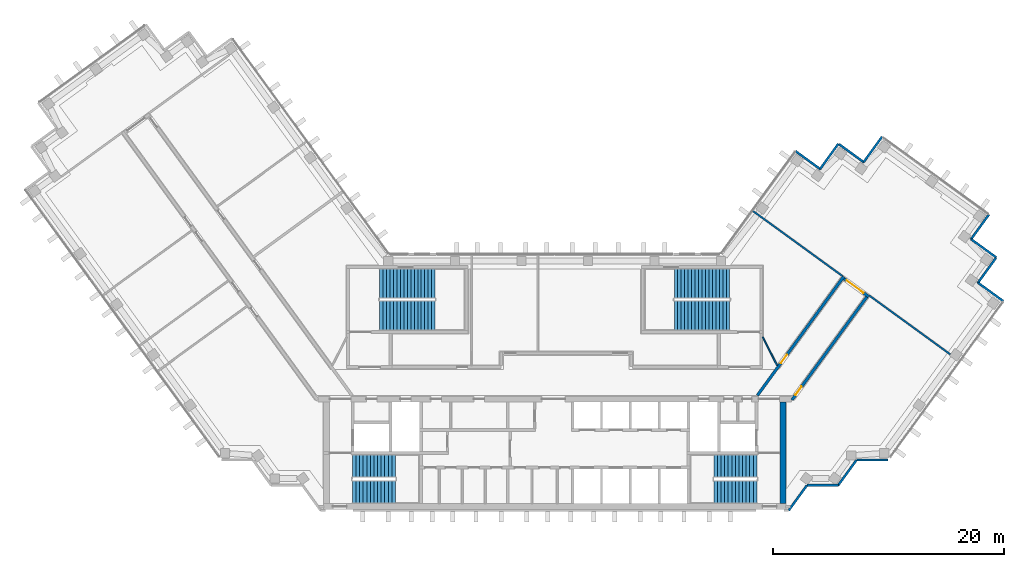
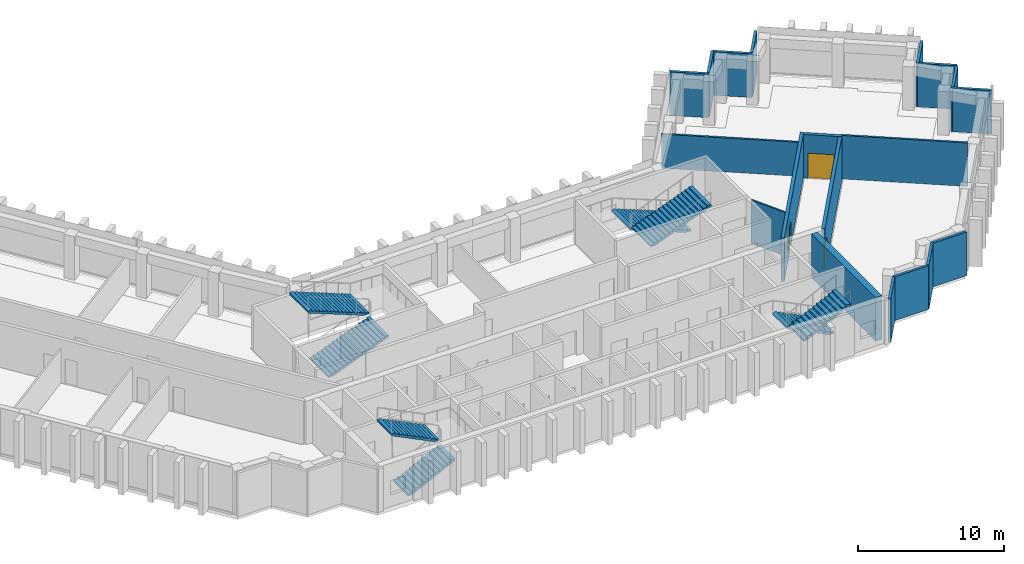
# One storey, part 7 of 9: 19 walls, 8 stair flights, 3 doors, 3 openings, 4 elements without a shape of their own.
"""IFC4 building model written with IfcOpenShell, lengths in metres."""

from ifc_helpers import new_model, si_unit, direction, frame, frame_2d, origin, place, context, subcontext, project, spatial, polyline, rectangle, outline, extrude, material, layer, layer_set, type_object, element, fill, aggregate, save


model = new_model("IFC4")

# Units and contexts
model_context = context("Model", 3, precision=1e-05, world=origin(), true_north=direction((0.0, 1.0)))
body_context = subcontext(model_context, "Body", "Model", "MODEL_VIEW")
ifc_project = project(units=[si_unit("LENGTHUNIT", "METRE"), si_unit("AREAUNIT", "SQUARE_METRE"), si_unit("VOLUMEUNIT", "CUBIC_METRE"), si_unit("PLANEANGLEUNIT", "RADIAN"), si_unit("MASSUNIT", "GRAM", prefix="KILO")], contexts=[model_context])

# Site, building, storey
site_placement = place(None, origin())
site = spatial("IfcSite", under=ifc_project, at=site_placement, CompositionType="ELEMENT")
building_placement = place(site_placement, origin())
building = spatial("IfcBuilding", under=site, at=building_placement, Name="Quipu Civic Tower", CompositionType="ELEMENT")
storey_placement = place(building_placement, frame((0.0, 0.0, 194.0)))
storey = spatial("IfcBuildingStorey", under=building, at=storey_placement, Name="L45", CompositionType="ELEMENT", Elevation=194.0)

# Walls
ifc_material_1 = material(Name="Double gypsum plasterboard with mineral wool")
ifc_layer_1 = layer(ifc_material_1, 0.14990234375)
ifc_layer_set_1 = layer_set([ifc_layer_1], Name="Double gypsum plasterboard with mineral wool")
wall_type_1 = type_object("IfcWallType", Name="Acoustic partition 150 plasterboard", PredefinedType="PARTITIONING", material=ifc_layer_set_1)
wall_1_placement = place(storey_placement, frame((24.89794921875, 9.20947265625, 0.0), z_axis=(0.0, 0.0, 1.0), x_axis=(-0.809013490065, 0.587790075531, 0.0)))
element("IfcWall", 1, at=wall_1_placement, inside=storey, type_object=wall_type_1, Name="Partition P01", PredefinedType="PARTITIONING", context=body_context, shape_type="SweptSolid", body=[
    extrude(rectangle(XDim=9.54931640625, YDim=0.14990234375, at=frame_2d((4.774658203125, 0.0))), origin(), (0.0, 0.0, 1.0), 2.85009765625),
])
wall_2_placement = place(storey_placement, frame((34.23876953125, 2.42333984375, 0.0), z_axis=(0.0, 0.0, 1.0), x_axis=(-0.809024209643, 0.5877753212, 0.0)))
element("IfcWall", 2, at=wall_2_placement, inside=storey, type_object=wall_type_1, Name="Partition P10", PredefinedType="PARTITIONING", context=body_context, shape_type="SweptSolid", body=[
    extrude(rectangle(XDim=8.64453125, YDim=0.14990234375, at=frame_2d((4.322265625, 0.0))), origin(), (0.0, 0.0, 1.0), 3.64990234375),
])
ifc_material_2 = material(Name="Concrete C70/85", Category="concrete")
ifc_layer_2 = layer(ifc_material_2, 0.5)
ifc_layer_set_2 = layer_set([ifc_layer_2], Name="Concrete C70/85")
wall_type_2 = type_object("IfcWallType", Name="Core wall 500", PredefinedType="SHEAR", material=ifc_layer_set_2)
wall_3_placement = place(storey_placement, frame((19.75, -10.5, 0.0), z_axis=(0.0, 0.0, 1.0), x_axis=(0.0, 1.0, 0.0)))
element("IfcWall", 3, at=wall_3_placement, inside=storey, type_object=wall_type_2, Name="Core wall", PredefinedType="SHEAR", context=body_context, shape_type="SweptSolid", body=[
    extrude(rectangle(XDim=8.800048828125, YDim=0.5, at=frame_2d((4.39990234375, 0.0))), origin(), (0.0, 0.0, 1.0), 3.64990234375),
])

# Wall, opening, door
ifc_material_3 = material(Name="Concrete C50/60", Category="concrete")
ifc_layer_3 = layer(ifc_material_3, 0.25)
ifc_layer_set_3 = layer_set([ifc_layer_3], Name="Concrete C50/60")
wall_type_3 = type_object("IfcWallType", Name="Corridor wall 250 concrete", PredefinedType="SOLIDWALL", material=ifc_layer_set_3)
wall_4_placement = place(storey_placement, frame((17.544921875, -1.124755859375, 0.0), z_axis=(0.0, 0.0, 1.0), x_axis=(0.587796810203, 0.809008596935, 0.0)))
wall_4 = element("IfcWall", 4, at=wall_4_placement, inside=storey, type_object=wall_type_3, Name="Corridor wall C01", PredefinedType="SOLIDWALL", context=body_context, shape_type="SweptSolid", body=[
    extrude(rectangle(XDim=12.703125, YDim=0.25, at=frame_2d((6.3515625, 0.0))), origin(), (0.0, 0.0, 1.0), 3.64990234375),
])
opening_1_placement = place(wall_4_placement, frame((3.44140625, 0.0, 0.0)))
opening_1 = element("IfcOpeningElement", 5, at=opening_1_placement, cuts=wall_4, Name="Opening D001", PredefinedType="OPENING", context=body_context, shape_type="SweptSolid", body=[
    extrude(rectangle(XDim=0.89990234375, YDim=2.10009765625, at=frame_2d((0.449951171875, 1.050048828125))), frame((0.0, 0.135009765625, 0.0), z_axis=(0.0, -1.0, 0.0), x_axis=(1.0, 0.0, 0.0)), (0.0, 0.0, 1.0), 0.27001953125),
])
ifc_material_4 = material(Name="Fire rated timber door set with metal frame", Category="wood")
door_type_1 = type_object("IfcDoorType", Name="Single door 900 x 2100 FD60", OperationType="NOTDEFINED", PredefinedType="DOOR", material=ifc_material_4)
door_1_placement = place(opening_1_placement, origin())
door_1 = element("IfcDoor", 6, at=door_1_placement, inside=storey, type_object=door_type_1, Name="Door D001", OperationType="SINGLE_SWING_LEFT", OverallHeight=2.10009765625, OverallWidth=0.89990234375, PredefinedType="DOOR", context=body_context, shape_type="SweptSolid", body=[
    extrude(rectangle(XDim=0.89990234375, YDim=2.10009765625, at=frame_2d((0.449951171875, 1.050048828125))), frame((0.0, 0.02490234375, 0.0), z_axis=(0.0, -1.0, 0.0), x_axis=(1.0, 0.0, 0.0)), (0.0, 0.0, 1.0), 0.050048828125),
])
fill(opening_1, door_1)

wall_5_placement = place(storey_placement, frame((25.039306640625, 8.9775390625, 0.0), z_axis=(0.0, 0.0, 1.0), x_axis=(0.809006914995, -0.587799125119, 0.0)))
wall_5 = element("IfcWall", 7, at=wall_5_placement, inside=storey, type_object=wall_type_3, Name="Corridor wall C02", PredefinedType="SOLIDWALL", context=body_context, shape_type="SweptSolid", body=[
    extrude(rectangle(XDim=2.64990234375, YDim=0.25, at=frame_2d((1.324951171875, 0.0))), origin(), (0.0, 0.0, 1.0), 3.64990234375),
])
opening_2_placement = place(wall_5_placement, frame((0.300537109375, 0.0, 0.0)))
opening_2 = element("IfcOpeningElement", 8, at=opening_2_placement, cuts=wall_5, Name="Opening D003", PredefinedType="OPENING", context=body_context, shape_type="SweptSolid", body=[
    extrude(rectangle(XDim=1.800048828125, YDim=2.10009765625, at=frame_2d((0.89990234375, 1.050048828125))), frame((0.0, 0.135009765625, 0.0), z_axis=(0.0, -1.0, 0.0), x_axis=(1.0, 0.0, 0.0)), (0.0, 0.0, 1.0), 0.27001953125),
])
ifc_material_5 = material(Name="Fire rated timber door set with metal frame", Category="wood")
door_type_2 = type_object("IfcDoorType", Name="Double door 1800 x 2100 FD60", OperationType="DOUBLE_DOOR_SINGLE_SWING", PredefinedType="DOOR", material=ifc_material_5)
door_2_placement = place(opening_2_placement, origin())
door_2 = element("IfcDoor", 9, at=door_2_placement, inside=storey, type_object=door_type_2, Name="Door D003", OperationType="DOUBLE_DOOR_SINGLE_SWING", OverallHeight=2.10009765625, OverallWidth=1.800048828125, PredefinedType="DOOR", context=body_context, shape_type="SweptSolid", body=[
    extrude(rectangle(XDim=1.800048828125, YDim=2.10009765625, at=frame_2d((0.89990234375, 1.050048828125))), frame((0.0, 0.02490234375, 0.0), z_axis=(0.0, -1.0, 0.0), x_axis=(1.0, 0.0, 0.0)), (0.0, 0.0, 1.0), 0.050048828125),
])
fill(opening_2, door_2)

wall_6_placement = place(storey_placement, frame((27.008544921875, 7.392333984375, 0.0), z_axis=(0.0, 0.0, 1.0), x_axis=(-0.587776457057, -0.809023384414, 0.0)))
wall_6 = element("IfcWall", 10, at=wall_6_placement, inside=storey, type_object=wall_type_3, Name="Corridor wall C03", PredefinedType="SOLIDWALL", context=body_context, shape_type="SweptSolid", body=[
    extrude(rectangle(XDim=11.0205078125, YDim=0.25, at=frame_2d((5.51025390625, 0.0))), origin(), (0.0, 0.0, 1.0), 3.64990234375),
])
opening_3_placement = place(wall_6_placement, frame((9.587646484375, 0.0, 0.0)))
opening_3 = element("IfcOpeningElement", 11, at=opening_3_placement, cuts=wall_6, Name="Opening D002", PredefinedType="OPENING", context=body_context, shape_type="SweptSolid", body=[
    extrude(rectangle(XDim=0.89990234375, YDim=2.10009765625, at=frame_2d((0.449951171875, 1.050048828125))), frame((0.0, 0.135009765625, 0.0), z_axis=(0.0, -1.0, 0.0), x_axis=(1.0, 0.0, 0.0)), (0.0, 0.0, 1.0), 0.27001953125),
])
door_3_placement = place(opening_3_placement, origin())
door_3 = element("IfcDoor", 12, at=door_3_placement, inside=storey, type_object=door_type_1, Name="Door D002", OperationType="SINGLE_SWING_RIGHT", OverallHeight=2.10009765625, OverallWidth=0.89990234375, PredefinedType="DOOR", context=body_context, shape_type="SweptSolid", body=[
    extrude(rectangle(XDim=0.89990234375, YDim=2.10009765625, at=frame_2d((0.449951171875, 1.050048828125))), frame((0.0, 0.02490234375, 0.0), z_axis=(0.0, -1.0, 0.0), x_axis=(1.0, 0.0, 0.0)), (0.0, 0.0, 1.0), 0.050048828125),
])
fill(opening_3, door_3)

# Walls
ifc_material_6 = material(Name="Gypsum plasterboard on light gauge framing")
ifc_layer_4 = layer(ifc_material_6, 0.1201171875)
ifc_layer_set_4 = layer_set([ifc_layer_4], Name="Gypsum plasterboard on light gauge framing")
wall_type_4 = type_object("IfcWallType", Name="Partition 120 plasterboard", PredefinedType="PARTITIONING", material=ifc_layer_set_4)
wall_7_placement = place(storey_placement, frame((18.0, 3.925048828125, 0.0), z_axis=(0.0, 0.0, 1.0), x_axis=(0.453950796792, -0.891026752736, 0.0)))
element("IfcWall", 13, at=wall_7_placement, inside=storey, type_object=wall_type_4, Name="Partition P12", PredefinedType="PARTITIONING", context=body_context, shape_type="SweptSolid", body=[
    extrude(rectangle(XDim=2.77783203125, YDim=0.1201171875, at=frame_2d((1.388916015625, 0.0))), origin(), (0.0, 0.0, 1.0), 3.64990234375),
])
ifc_material_7 = material(Name="Precast concrete C40/50", Category="concrete")
wall_type_5 = type_object("IfcWallType", Name="Precast cladding wall", PredefinedType="SOLIDWALL", material=ifc_material_7)
for number, where, z_axis, x_axis, name in (
    (14, (38.82861328125, 7.031005859375, 0.0), (0.0, 0.0, 1.0), (-0.808990163075, 0.587822180636, 0.0), "Precast cladding wall L45 2"),
    (15, (36.60205078125, 8.580322265625, 0.0), (0.0, 0.0, 1.0), (0.587822180636, 0.808990163075, 0.0), "Precast cladding wall L45 3"),
    (16, (38.231201171875, 10.80224609375, 0.0), (0.0, 0.0, 1.0), (-0.808958916286, 0.58786518162, 0.0), "Precast cladding wall L45 4"),
    (17, (36.0048828125, 12.3515625, 0.0), (0.0, 0.0, 1.0), (0.587762999008, 0.809033161865, 0.0), "Precast cladding wall L45 5"),
    (18, (28.333984375, 21.26220703125, 0.0), (0.0, 0.0, 1.0), (-0.587762999008, -0.809033161865, 0.0), "Precast cladding wall L45 7"),
):
    element("IfcWall", number, at=place(storey_placement, frame(where, z_axis=z_axis, x_axis=x_axis)), inside=storey, type_object=wall_type_5, Name=name, PredefinedType="SOLIDWALL", context=body_context, shape_type="SweptSolid", body=[
        extrude(rectangle(XDim=2.699951171875, YDim=0.199951171875, at=frame_2d((1.35009765625, 0.0))), origin(), (0.0, 0.0, 1.0), 3.64990234375),
    ])
wall_8_placement = place(storey_placement, frame((26.78466796875, 19.03564453125, 0.0), z_axis=(0.0, 0.0, 1.0), x_axis=(-0.809064397168, 0.587720002413, 0.0)))
element("IfcWall", 19, at=wall_8_placement, inside=storey, type_object=wall_type_5, Name="Precast cladding wall L45 8", PredefinedType="SOLIDWALL", context=body_context, shape_type="SweptSolid", body=[
    extrude(rectangle(XDim=2.7001953125, YDim=0.199951171875, at=frame_2d((1.35009765625, 0.0))), origin(), (0.0, 0.0, 1.0), 3.64990234375),
])
for number, where, z_axis, x_axis, name in (
    (20, (24.562744140625, 20.664794921875, 0.0), (0.0, 0.0, 1.0), (-0.587822180636, -0.808990163075, 0.0), "Precast cladding wall L45 9"),
    (21, (23.01318359375, 18.438232421875, 0.0), (0.0, 0.0, 1.0), (-0.808990163075, 0.587822180636, 0.0), "Precast cladding wall L45 10"),
):
    element("IfcWall", number, at=place(storey_placement, frame(where, z_axis=z_axis, x_axis=x_axis)), inside=storey, type_object=wall_type_5, Name=name, PredefinedType="SOLIDWALL", context=body_context, shape_type="SweptSolid", body=[
        extrude(rectangle(XDim=2.699951171875, YDim=0.199951171875, at=frame_2d((1.35009765625, 0.0))), origin(), (0.0, 0.0, 1.0), 3.64990234375),
    ])
wall_9_placement = place(storey_placement, frame((20.253173828125, -11.083251953125, 0.0), z_axis=(0.0, 0.0, 1.0), x_axis=(0.587766567315, 0.809030569476, 0.0)))
element("IfcWall", 22, at=wall_9_placement, inside=storey, type_object=wall_type_5, Name="Precast cladding wall L45 35", PredefinedType="SOLIDWALL", context=body_context, shape_type="SweptSolid", body=[
    extrude(rectangle(XDim=2.687744140625, YDim=0.199951171875, at=frame_2d((1.34375, 0.0))), origin(), (0.0, 0.0, 1.0), 3.64990234375),
])
wall_10_placement = place(storey_placement, frame((21.8427734375, -8.90380859375, 0.0), z_axis=(0.0, 0.0, 1.0), x_axis=(1.0, 0.0, 0.0)))
element("IfcWall", 23, at=wall_10_placement, inside=storey, type_object=wall_type_5, Name="Precast cladding wall L45 36", PredefinedType="SOLIDWALL", context=body_context, shape_type="SweptSolid", body=[
    extrude(rectangle(XDim=2.699951171875, YDim=0.199951171875, at=frame_2d((1.35009765625, 0.0))), origin(), (0.0, 0.0, 1.0), 3.64990234375),
])
wall_11_placement = place(storey_placement, frame((24.533203125, -8.90869140625, 0.0), z_axis=(0.0, 0.0, 1.0), x_axis=(0.587720002413, 0.809064397168, 0.0)))
element("IfcWall", 24, at=wall_11_placement, inside=storey, type_object=wall_type_5, Name="Precast cladding wall L45 37", PredefinedType="SOLIDWALL", context=body_context, shape_type="SweptSolid", body=[
    extrude(rectangle(XDim=2.7001953125, YDim=0.199951171875, at=frame_2d((1.35009765625, 0.0))), origin(), (0.0, 0.0, 1.0), 3.64990234375),
])
wall_12_placement = place(storey_placement, frame((26.1298828125, -6.71923828125, 0.0), z_axis=(0.0, 0.0, 1.0), x_axis=(1.0, 0.0, 0.0)))
element("IfcWall", 25, at=wall_12_placement, inside=storey, type_object=wall_type_5, Name="Precast cladding wall L45 38", PredefinedType="SOLIDWALL", context=body_context, shape_type="SweptSolid", body=[
    extrude(rectangle(XDim=2.699951171875, YDim=0.199951171875, at=frame_2d((1.35009765625, 0.0))), origin(), (0.0, 0.0, 1.0), 3.64990234375),
])

# Stair, stair flights
ifc_material_8 = material(Name="Concrete C40/50", Category="concrete")
stair_type_1 = type_object("IfcStairType", Name="Half turn stair 2000", PredefinedType="HALF_TURN_STAIR", material=ifc_material_8)
stair_1_placement = place(storey_placement, origin())
stair_1 = element("IfcStair", 26, at=stair_1_placement, inside=storey, type_object=stair_type_1, Name="Exit stair 1", PredefinedType="HALF_TURN_STAIR")
ifc_material_9 = material(Name="Concrete C40/50", Category="concrete")
stair_flight_type_1 = type_object("IfcStairFlightType", Name="Stair flight 2000", PredefinedType="STRAIGHT", material=ifc_material_9)
stair_flight_1_placement = place(storey_placement, frame((-17.5, -9.5, 0.0), z_axis=(0.0, 0.0, 1.0), x_axis=(1.0, 0.0, 0.0)))
stair_flight_1 = element("IfcStairFlight", 27, at=stair_flight_1_placement, type_object=stair_flight_type_1, Name="ST-1 flight 1", NumberOfRisers=13, NumberOfTreads=12, PredefinedType="STRAIGHT", RiserHeight=0.153846154, TreadLength=0.31, context=body_context, shape_type="SweptSolid", body=[
    extrude(outline(polyline([(0.0, 0.0), (0.0, 0.15380859375), (0.31005859375, 0.15380859375), (0.31005859375, 0.3076171875), (0.6201171875, 0.3076171875), (0.6201171875, 0.46142578125), (0.929931640625, 0.46142578125), (0.929931640625, 0.615478515625), (1.239990234375, 0.615478515625), (1.239990234375, 0.769287109375), (1.550048828125, 0.769287109375), (1.550048828125, 0.923095703125), (1.860107421875, 0.923095703125), (1.860107421875, 1.076904296875), (2.169921875, 1.076904296875), (2.169921875, 1.230712890625), (2.47998046875, 1.230712890625), (2.47998046875, 1.384521484375), (2.7900390625, 1.384521484375), (2.7900390625, 1.53857421875), (3.10009765625, 1.53857421875), (3.10009765625, 1.6923828125), (3.409912109375, 1.6923828125), (3.409912109375, 1.84619140625), (3.719970703125, 1.84619140625), (3.719970703125, 2.0), (3.719970703125, 1.6787109375), (0.337158203125, 0.0), (0.0, 0.0)])), frame((0.0, 1.0, 0.0), z_axis=(0.0, -1.0, 0.0), x_axis=(1.0, 0.0, 0.0)), (0.0, 0.0, 1.0), 2.0),
])
stair_flight_2_placement = place(storey_placement, frame((-13.780029296875, -7.25, 2.0), z_axis=(0.0, 0.0, 1.0), x_axis=(-1.0, 0.0, 0.0)))
stair_flight_2 = element("IfcStairFlight", 28, at=stair_flight_2_placement, type_object=stair_flight_type_1, Name="ST-1 flight 2", NumberOfRisers=13, NumberOfTreads=12, PredefinedType="STRAIGHT", RiserHeight=0.153846154, TreadLength=0.31, context=body_context, shape_type="SweptSolid", body=[
    extrude(outline(polyline([(0.0, 0.0), (0.0, 0.15380859375), (0.31005859375, 0.15380859375), (0.31005859375, 0.3076171875), (0.6201171875, 0.3076171875), (0.6201171875, 0.46142578125), (0.929931640625, 0.46142578125), (0.929931640625, 0.615478515625), (1.239990234375, 0.615478515625), (1.239990234375, 0.769287109375), (1.550048828125, 0.769287109375), (1.550048828125, 0.923095703125), (1.860107421875, 0.923095703125), (1.860107421875, 1.076904296875), (2.169921875, 1.076904296875), (2.169921875, 1.230712890625), (2.47998046875, 1.230712890625), (2.47998046875, 1.384521484375), (2.7900390625, 1.384521484375), (2.7900390625, 1.53857421875), (3.10009765625, 1.53857421875), (3.10009765625, 1.6923828125), (3.409912109375, 1.6923828125), (3.409912109375, 1.84619140625), (3.719970703125, 1.84619140625), (3.719970703125, 2.0), (3.719970703125, 1.6787109375), (0.337158203125, 0.0), (0.0, 0.0)])), frame((0.0, 1.0, 0.0), z_axis=(0.0, -1.0, 0.0), x_axis=(1.0, 0.0, 0.0)), (0.0, 0.0, 1.0), 2.0),
])
aggregate(stair_1, [stair_flight_1, stair_flight_2])

stair_2_placement = place(storey_placement, origin())
stair_2 = element("IfcStair", 29, at=stair_2_placement, inside=storey, type_object=stair_type_1, Name="Exit stair 2", PredefinedType="HALF_TURN_STAIR")
stair_flight_3_placement = place(storey_placement, frame((17.5, -7.25, 0.0), z_axis=(0.0, 0.0, 1.0), x_axis=(-1.0, 0.0, 0.0)))
stair_flight_3 = element("IfcStairFlight", 30, at=stair_flight_3_placement, type_object=stair_flight_type_1, Name="ST-2 flight 1", NumberOfRisers=13, NumberOfTreads=12, PredefinedType="STRAIGHT", RiserHeight=0.153846154, TreadLength=0.31, context=body_context, shape_type="SweptSolid", body=[
    extrude(outline(polyline([(0.0, 0.0), (0.0, 0.15380859375), (0.31005859375, 0.15380859375), (0.31005859375, 0.3076171875), (0.6201171875, 0.3076171875), (0.6201171875, 0.46142578125), (0.929931640625, 0.46142578125), (0.929931640625, 0.615478515625), (1.239990234375, 0.615478515625), (1.239990234375, 0.769287109375), (1.550048828125, 0.769287109375), (1.550048828125, 0.923095703125), (1.860107421875, 0.923095703125), (1.860107421875, 1.076904296875), (2.169921875, 1.076904296875), (2.169921875, 1.230712890625), (2.47998046875, 1.230712890625), (2.47998046875, 1.384521484375), (2.7900390625, 1.384521484375), (2.7900390625, 1.53857421875), (3.10009765625, 1.53857421875), (3.10009765625, 1.6923828125), (3.409912109375, 1.6923828125), (3.409912109375, 1.84619140625), (3.719970703125, 1.84619140625), (3.719970703125, 2.0), (3.719970703125, 1.6787109375), (0.337158203125, 0.0), (0.0, 0.0)])), frame((0.0, 1.0, 0.0), z_axis=(0.0, -1.0, 0.0), x_axis=(1.0, 0.0, 0.0)), (0.0, 0.0, 1.0), 2.0),
])
stair_flight_4_placement = place(storey_placement, frame((13.780029296875, -9.5, 2.0), z_axis=(0.0, 0.0, 1.0), x_axis=(1.0, 0.0, 0.0)))
stair_flight_4 = element("IfcStairFlight", 31, at=stair_flight_4_placement, type_object=stair_flight_type_1, Name="ST-2 flight 2", NumberOfRisers=13, NumberOfTreads=12, PredefinedType="STRAIGHT", RiserHeight=0.153846154, TreadLength=0.31, context=body_context, shape_type="SweptSolid", body=[
    extrude(outline(polyline([(0.0, 0.0), (0.0, 0.15380859375), (0.31005859375, 0.15380859375), (0.31005859375, 0.3076171875), (0.6201171875, 0.3076171875), (0.6201171875, 0.46142578125), (0.929931640625, 0.46142578125), (0.929931640625, 0.615478515625), (1.239990234375, 0.615478515625), (1.239990234375, 0.769287109375), (1.550048828125, 0.769287109375), (1.550048828125, 0.923095703125), (1.860107421875, 0.923095703125), (1.860107421875, 1.076904296875), (2.169921875, 1.076904296875), (2.169921875, 1.230712890625), (2.47998046875, 1.230712890625), (2.47998046875, 1.384521484375), (2.7900390625, 1.384521484375), (2.7900390625, 1.53857421875), (3.10009765625, 1.53857421875), (3.10009765625, 1.6923828125), (3.409912109375, 1.6923828125), (3.409912109375, 1.84619140625), (3.719970703125, 1.84619140625), (3.719970703125, 2.0), (3.719970703125, 1.6787109375), (0.337158203125, 0.0), (0.0, 0.0)])), frame((0.0, 1.0, 0.0), z_axis=(0.0, -1.0, 0.0), x_axis=(1.0, 0.0, 0.0)), (0.0, 0.0, 1.0), 2.0),
])
aggregate(stair_2, [stair_flight_3, stair_flight_4])

ifc_material_10 = material(Name="Concrete C40/50", Category="concrete")
stair_type_2 = type_object("IfcStairType", Name="Half turn stair 2600", PredefinedType="HALF_TURN_STAIR", material=ifc_material_10)
stair_3_placement = place(storey_placement, origin())
stair_3 = element("IfcStair", 32, at=stair_3_placement, inside=storey, type_object=stair_type_2, Name="Exit stair 3", PredefinedType="HALF_TURN_STAIR")
ifc_material_11 = material(Name="Concrete C40/50", Category="concrete")
stair_flight_type_2 = type_object("IfcStairFlightType", Name="Stair flight 2600", PredefinedType="STRAIGHT", material=ifc_material_11)
stair_flight_5_placement = place(storey_placement, frame((-15.14990234375, 5.800048828125, 0.0), z_axis=(0.0, 0.0, 1.0), x_axis=(1.0, 0.0, 0.0)))
stair_flight_5 = element("IfcStairFlight", 33, at=stair_flight_5_placement, type_object=stair_flight_type_2, Name="ST-3 flight 1", NumberOfRisers=17, NumberOfTreads=16, PredefinedType="STRAIGHT", RiserHeight=0.117647059, TreadLength=0.3, context=body_context, shape_type="SweptSolid", body=[
    extrude(outline(polyline([(0.0, 0.0), (0.0, 0.11767578125), (0.300048828125, 0.11767578125), (0.300048828125, 0.2353515625), (0.60009765625, 0.2353515625), (0.60009765625, 0.35302734375), (0.89990234375, 0.35302734375), (0.89990234375, 0.470703125), (1.199951171875, 0.470703125), (1.199951171875, 0.588134765625), (1.5, 0.588134765625), (1.5, 0.705810546875), (1.800048828125, 0.705810546875), (1.800048828125, 0.823486328125), (2.10009765625, 0.823486328125), (2.10009765625, 0.941162109375), (2.39990234375, 0.941162109375), (2.39990234375, 1.058837890625), (2.699951171875, 1.058837890625), (2.699951171875, 1.176513671875), (3.0, 1.176513671875), (3.0, 1.294189453125), (3.300048828125, 1.294189453125), (3.300048828125, 1.411865234375), (3.60009765625, 1.411865234375), (3.60009765625, 1.529296875), (3.89990234375, 1.529296875), (3.89990234375, 1.64697265625), (4.199951171875, 1.64697265625), (4.199951171875, 1.7646484375), (4.5, 1.7646484375), (4.5, 1.88232421875), (4.800048828125, 1.88232421875), (4.800048828125, 2.0), (4.800048828125, 1.721435546875), (0.41064453125, 0.0), (0.0, 0.0)])), frame((0.0, 1.300048828125, 0.0), z_axis=(0.0, -1.0, 0.0), x_axis=(1.0, 0.0, 0.0)), (0.0, 0.0, 1.0), 2.60009765625),
])
stair_flight_6_placement = place(storey_placement, frame((-10.35009765625, 8.550048828125, 2.0), z_axis=(0.0, 0.0, 1.0), x_axis=(-1.0, 0.0, 0.0)))
stair_flight_6 = element("IfcStairFlight", 34, at=stair_flight_6_placement, type_object=stair_flight_type_2, Name="ST-3 flight 2", NumberOfRisers=17, NumberOfTreads=16, PredefinedType="STRAIGHT", RiserHeight=0.117647059, TreadLength=0.3, context=body_context, shape_type="SweptSolid", body=[
    extrude(outline(polyline([(0.0, 0.0), (0.0, 0.11767578125), (0.300048828125, 0.11767578125), (0.300048828125, 0.2353515625), (0.60009765625, 0.2353515625), (0.60009765625, 0.35302734375), (0.89990234375, 0.35302734375), (0.89990234375, 0.470703125), (1.199951171875, 0.470703125), (1.199951171875, 0.588134765625), (1.5, 0.588134765625), (1.5, 0.705810546875), (1.800048828125, 0.705810546875), (1.800048828125, 0.823486328125), (2.10009765625, 0.823486328125), (2.10009765625, 0.941162109375), (2.39990234375, 0.941162109375), (2.39990234375, 1.058837890625), (2.699951171875, 1.058837890625), (2.699951171875, 1.176513671875), (3.0, 1.176513671875), (3.0, 1.294189453125), (3.300048828125, 1.294189453125), (3.300048828125, 1.411865234375), (3.60009765625, 1.411865234375), (3.60009765625, 1.529296875), (3.89990234375, 1.529296875), (3.89990234375, 1.64697265625), (4.199951171875, 1.64697265625), (4.199951171875, 1.7646484375), (4.5, 1.7646484375), (4.5, 1.88232421875), (4.800048828125, 1.88232421875), (4.800048828125, 2.0), (4.800048828125, 1.721435546875), (0.41064453125, 0.0), (0.0, 0.0)])), frame((0.0, 1.300048828125, 0.0), z_axis=(0.0, -1.0, 0.0), x_axis=(1.0, 0.0, 0.0)), (0.0, 0.0, 1.0), 2.60009765625),
])
aggregate(stair_3, [stair_flight_5, stair_flight_6])

stair_4_placement = place(storey_placement, origin())
stair_4 = element("IfcStair", 35, at=stair_4_placement, inside=storey, type_object=stair_type_2, Name="Exit stair 4", PredefinedType="HALF_TURN_STAIR")
stair_flight_7_placement = place(storey_placement, frame((15.14990234375, 8.550048828125, 0.0), z_axis=(0.0, 0.0, 1.0), x_axis=(-1.0, 0.0, 0.0)))
stair_flight_7 = element("IfcStairFlight", 36, at=stair_flight_7_placement, type_object=stair_flight_type_2, Name="ST-4 flight 1", NumberOfRisers=17, NumberOfTreads=16, PredefinedType="STRAIGHT", RiserHeight=0.117647059, TreadLength=0.3, context=body_context, shape_type="SweptSolid", body=[
    extrude(outline(polyline([(0.0, 0.0), (0.0, 0.11767578125), (0.300048828125, 0.11767578125), (0.300048828125, 0.2353515625), (0.60009765625, 0.2353515625), (0.60009765625, 0.35302734375), (0.89990234375, 0.35302734375), (0.89990234375, 0.470703125), (1.199951171875, 0.470703125), (1.199951171875, 0.588134765625), (1.5, 0.588134765625), (1.5, 0.705810546875), (1.800048828125, 0.705810546875), (1.800048828125, 0.823486328125), (2.10009765625, 0.823486328125), (2.10009765625, 0.941162109375), (2.39990234375, 0.941162109375), (2.39990234375, 1.058837890625), (2.699951171875, 1.058837890625), (2.699951171875, 1.176513671875), (3.0, 1.176513671875), (3.0, 1.294189453125), (3.300048828125, 1.294189453125), (3.300048828125, 1.411865234375), (3.60009765625, 1.411865234375), (3.60009765625, 1.529296875), (3.89990234375, 1.529296875), (3.89990234375, 1.64697265625), (4.199951171875, 1.64697265625), (4.199951171875, 1.7646484375), (4.5, 1.7646484375), (4.5, 1.88232421875), (4.800048828125, 1.88232421875), (4.800048828125, 2.0), (4.800048828125, 1.721435546875), (0.41064453125, 0.0), (0.0, 0.0)])), frame((0.0, 1.300048828125, 0.0), z_axis=(0.0, -1.0, 0.0), x_axis=(1.0, 0.0, 0.0)), (0.0, 0.0, 1.0), 2.60009765625),
])
stair_flight_8_placement = place(storey_placement, frame((10.35009765625, 5.800048828125, 2.0), z_axis=(0.0, 0.0, 1.0), x_axis=(1.0, 0.0, 0.0)))
stair_flight_8 = element("IfcStairFlight", 37, at=stair_flight_8_placement, type_object=stair_flight_type_2, Name="ST-4 flight 2", NumberOfRisers=17, NumberOfTreads=16, PredefinedType="STRAIGHT", RiserHeight=0.117647059, TreadLength=0.3, context=body_context, shape_type="SweptSolid", body=[
    extrude(outline(polyline([(0.0, 0.0), (0.0, 0.11767578125), (0.300048828125, 0.11767578125), (0.300048828125, 0.2353515625), (0.60009765625, 0.2353515625), (0.60009765625, 0.35302734375), (0.89990234375, 0.35302734375), (0.89990234375, 0.470703125), (1.199951171875, 0.470703125), (1.199951171875, 0.588134765625), (1.5, 0.588134765625), (1.5, 0.705810546875), (1.800048828125, 0.705810546875), (1.800048828125, 0.823486328125), (2.10009765625, 0.823486328125), (2.10009765625, 0.941162109375), (2.39990234375, 0.941162109375), (2.39990234375, 1.058837890625), (2.699951171875, 1.058837890625), (2.699951171875, 1.176513671875), (3.0, 1.176513671875), (3.0, 1.294189453125), (3.300048828125, 1.294189453125), (3.300048828125, 1.411865234375), (3.60009765625, 1.411865234375), (3.60009765625, 1.529296875), (3.89990234375, 1.529296875), (3.89990234375, 1.64697265625), (4.199951171875, 1.64697265625), (4.199951171875, 1.7646484375), (4.5, 1.7646484375), (4.5, 1.88232421875), (4.800048828125, 1.88232421875), (4.800048828125, 2.0), (4.800048828125, 1.721435546875), (0.41064453125, 0.0), (0.0, 0.0)])), frame((0.0, 1.300048828125, 0.0), z_axis=(0.0, -1.0, 0.0), x_axis=(1.0, 0.0, 0.0)), (0.0, 0.0, 1.0), 2.60009765625),
])
aggregate(stair_4, [stair_flight_7, stair_flight_8])

save(model, "model.ifc")
